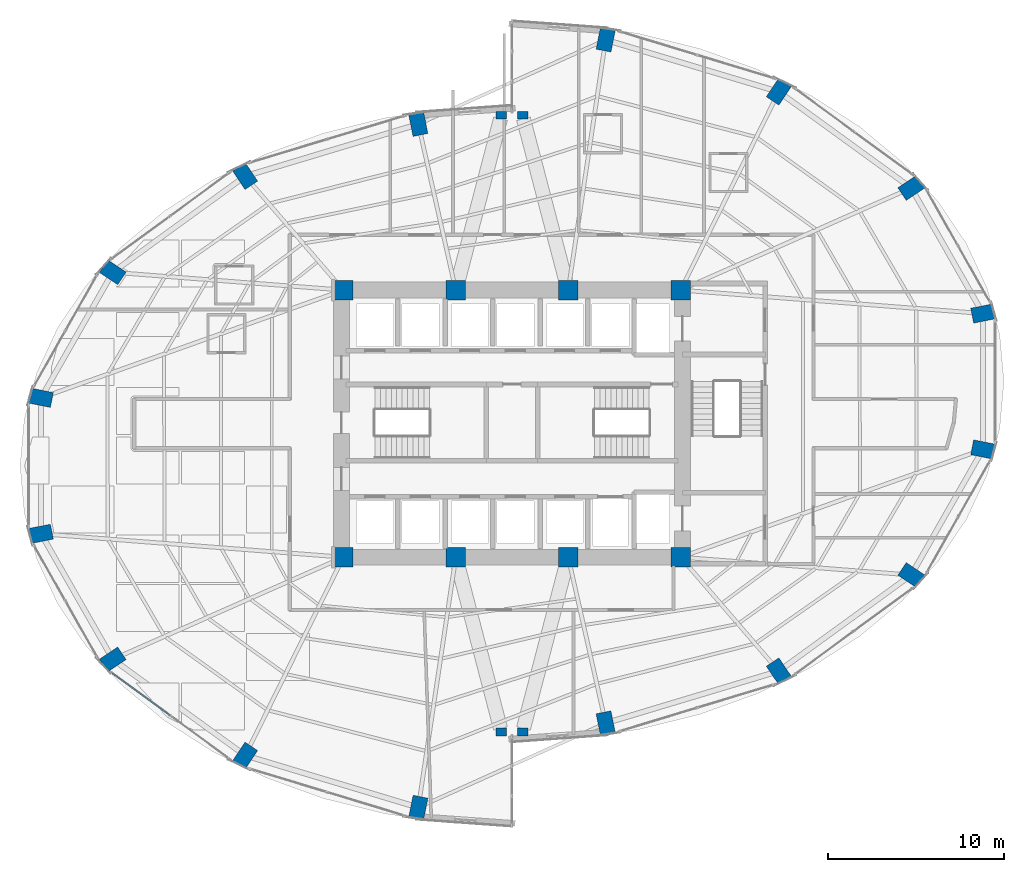
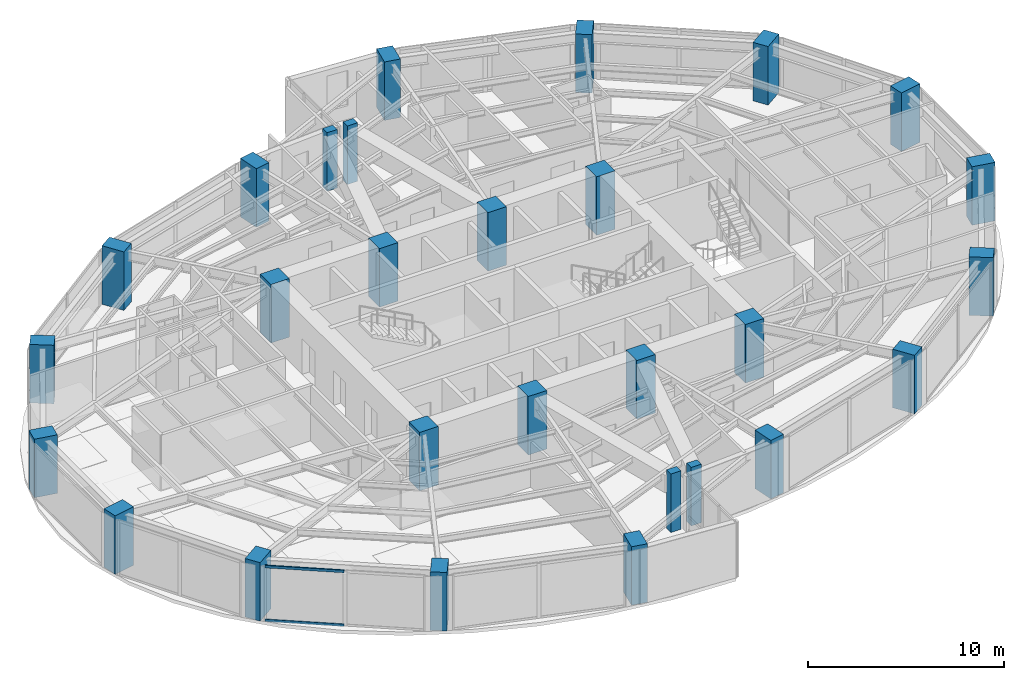
# One storey, part 1 of 25: 28 columns, 2 members, 1 element without a shape of its own.
"""IFC4 building model written with IfcOpenShell, lengths in metres."""

from ifc_helpers import new_model, si_unit, direction, frame, origin, origin_2d, place, context, subcontext, project, spatial, rectangle, hollow_rectangle, extrude, material, layer, layer_set, material_profile, profile_set, type_object, element, aggregate, save


model = new_model("IFC4")

# Units and contexts
model_context = context("Model", 3, precision=1e-05, world=origin(), true_north=direction((0.0, 1.0)))
body_context = subcontext(model_context, "Body", "Model", "MODEL_VIEW")
ifc_project = project(units=[si_unit("LENGTHUNIT", "METRE"), si_unit("AREAUNIT", "SQUARE_METRE"), si_unit("VOLUMEUNIT", "CUBIC_METRE"), si_unit("PLANEANGLEUNIT", "RADIAN"), si_unit("MASSUNIT", "GRAM", prefix="KILO")], contexts=[model_context])

# Site, building, storey
site_placement = place(None, origin())
site = spatial("IfcSite", under=ifc_project, at=site_placement, CompositionType="ELEMENT")
building_placement = place(site_placement, origin())
building = spatial("IfcBuilding", under=site, at=building_placement, Name="Lazwardi Medical Tower", CompositionType="ELEMENT")
storey_placement = place(building_placement, frame((0.0, 0.0, 50.736083984375)))
storey = spatial("IfcBuildingStorey", under=building, at=storey_placement, Name="L12", CompositionType="ELEMENT", Elevation=50.736083984375)

# Columns
ifc_material_1 = material(Name="Concrete C80/95", Category="concrete")
ifc_material_profile_1 = material_profile(ifc_material_1, rectangle(XDim=1.10009765625, YDim=1.10009765625, at=origin_2d()), Name="RC 1100x1100")
ifc_profile_set_1 = profile_set([ifc_material_profile_1], Name="Concrete C80/95")
column_type_1 = type_object("IfcColumnType", Name="COL-CC-L", PredefinedType="COLUMN", material=ifc_profile_set_1)
for number, where, z_axis, x_axis, name in (
    (1, (26.39990234375, 20.39990234375, 0.0), (0.0, 0.0, 1.0), (1.0, 0.0, 0.0), "Core column CC-01 CC1 L12"),
    (2, (32.800048828125, 20.39990234375, 0.0), (0.0, 0.0, 1.0), (1.0, 0.0, 0.0), "Core column CC-01 CC2 L12"),
    (3, (39.199951171875, 20.39990234375, 0.0), (0.0, 0.0, 1.0), (1.0, 0.0, 0.0), "Core column CC-01 CC3 L12"),
    (4, (45.60009765625, 20.39990234375, 0.0), (0.0, 0.0, 1.0), (1.0, 0.0, 0.0), "Core column CC-01 CC4 L12"),
    (5, (45.60009765625, 35.60009765625, 0.0), (0.0, 0.0, 1.0), (1.0, 0.0, 0.0), "Core column CC-01 CC5 L12"),
    (6, (39.199951171875, 35.60009765625, 0.0), (0.0, 0.0, 1.0), (1.0, 0.0, 0.0), "Core column CC-01 CC6 L12"),
    (7, (32.800048828125, 35.60009765625, 0.0), (0.0, 0.0, 1.0), (1.0, 0.0, 0.0), "Core column CC-01 CC7 L12"),
    (8, (26.39990234375, 35.60009765625, 0.0), (0.0, 0.0, 1.0), (1.0, 0.0, 0.0), "Core column CC-01 CC8 L12"),
):
    element("IfcColumn", number, at=place(storey_placement, frame(where, z_axis=z_axis, x_axis=x_axis)), inside=storey, type_object=column_type_1, Name=name, PredefinedType="COLUMN", context=body_context, shape_type="SweptSolid", body=[
        extrude(rectangle(XDim=1.10009765625, YDim=1.10009765625, at=origin_2d()), origin(), (0.0, 0.0, 1.0), 3.64794921875),
    ])
ifc_material_2 = material(Name="Concrete C70/85", Category="concrete")
ifc_material_profile_2 = material_profile(ifc_material_2, rectangle(XDim=1.25, YDim=0.860107421875, at=origin_2d()), Name="CFT-RECT 1250x860")
ifc_profile_set_2 = profile_set([ifc_material_profile_2], Name="Concrete C70/85")
column_type_2 = type_object("IfcColumnType", Name="COL-MC-Z1", PredefinedType="COLUMN", material=ifc_profile_set_2)
for number, where, z_axis, x_axis, name in (
    (9, (41.330810546875, 10.955810546875, 0.0), (0.0, 0.0, 1.0), (0.195090322016, -0.980785280403, 0.0), "Mega column MC-03 M01 L12"),
    (10, (51.180908203125, 13.916015625, 0.0), (0.0, 0.0, 1.0), (0.55557023302, -0.831469612303, 0.0), "Mega column MC-03 M02 L12"),
    (11, (58.719970703125, 19.3857421875, 0.0), (0.0, 0.0, 1.0), (0.831469612303, -0.55557023302, 0.0), "Mega column MC-03 M03 L12"),
    (12, (62.800048828125, 26.5322265625, 0.0), (0.0, 0.0, 1.0), (0.980785280403, -0.195090322016, 0.0), "Mega column MC-03 M04 L12"),
    (13, (62.800048828125, 34.267578125, 0.0), (0.0, 0.0, 1.0), (0.980785280403, 0.195090322016, 0.0), "Mega column MC-03 M05 L12"),
    (14, (58.719970703125, 41.414306640625, 0.0), (0.0, 0.0, 1.0), (0.831469612303, 0.55557023302, 0.0), "Mega column MC-03 M06 L12"),
    (15, (51.180908203125, 46.8837890625, 0.0), (0.0, 0.0, 1.0), (0.55557023302, 0.831469612303, 0.0), "Mega column MC-03 M07 L12"),
    (16, (41.330810546875, 49.843994140625, 0.0), (0.0, 0.0, 1.0), (0.195090322016, 0.980785280403, 0.0), "Mega column MC-03 M08 L12"),
    (17, (30.669189453125, 45.044189453125, 0.0), (0.0, 0.0, 1.0), (-0.195090322016, 0.980785280403, 0.0), "Mega column MC-03 M09 L12"),
    (18, (20.819091796875, 42.083984375, 0.0), (0.0, 0.0, 1.0), (-0.55557023302, 0.831469612303, 0.0), "Mega column MC-03 M10 L12"),
    (19, (13.280029296875, 36.6142578125, 0.0), (0.0, 0.0, 1.0), (-0.831469612303, 0.55557023302, 0.0), "Mega column MC-03 M11 L12"),
    (20, (9.199951171875, 29.4677734375, 0.0), (0.0, 0.0, 1.0), (-0.980785280403, 0.195090322016, 0.0), "Mega column MC-03 M12 L12"),
    (21, (9.199951171875, 21.732421875, 0.0), (0.0, 0.0, 1.0), (-0.980785280403, -0.195090322016, 0.0), "Mega column MC-03 M13 L12"),
    (22, (13.280029296875, 14.585693359375, 0.0), (0.0, 0.0, 1.0), (-0.831469612303, -0.55557023302, 0.0), "Mega column MC-03 M14 L12"),
    (23, (20.819091796875, 9.1162109375, 0.0), (0.0, 0.0, 1.0), (-0.55557023302, -0.831469612303, 0.0), "Mega column MC-03 M15 L12"),
    (24, (30.669189453125, 6.156005859375, 0.0), (0.0, 0.0, 1.0), (-0.195090322016, -0.980785280403, 0.0), "Mega column MC-03 M16 L12"),
):
    element("IfcColumn", number, at=place(storey_placement, frame(where, z_axis=z_axis, x_axis=x_axis)), inside=storey, type_object=column_type_2, Name=name, PredefinedType="COLUMN", context=body_context, shape_type="SweptSolid", body=[
        extrude(rectangle(XDim=1.25, YDim=0.860107421875, at=origin_2d()), origin(), (0.0, 0.0, 1.0), 3.64794921875),
    ])
ifc_material_3 = material(Name="Concrete C60/75", Category="concrete")
ifc_material_profile_3 = material_profile(ifc_material_3, rectangle(XDim=0.60009765625, YDim=0.449951171875, at=origin_2d()), Name="RC 600x450")
ifc_profile_set_3 = profile_set([ifc_material_profile_3], Name="Concrete C60/75")
column_type_3 = type_object("IfcColumnType", Name="COL-PL-IW", PredefinedType="PILASTER", material=ifc_profile_set_3)
for number, where, z_axis, x_axis, name in (
    (25, (35.39990234375, 45.550048828125, 0.0), (0.0, 0.0, 1.0), (1.0, 0.0, 0.0), "Iwan pilaster column PL-C1 PL1 L12"),
    (26, (36.60009765625, 45.550048828125, 0.0), (0.0, 0.0, 1.0), (1.0, 0.0, 0.0), "Iwan pilaster column PL-C1 PL2 L12"),
    (27, (35.39990234375, 10.449951171875, 0.0), (0.0, 0.0, 1.0), (1.0, 0.0, 0.0), "Iwan pilaster column PL-C1 PL3 L12"),
    (28, (36.60009765625, 10.449951171875, 0.0), (0.0, 0.0, 1.0), (1.0, 0.0, 0.0), "Iwan pilaster column PL-C1 PL4 L12"),
):
    element("IfcColumn", number, at=place(storey_placement, frame(where, z_axis=z_axis, x_axis=x_axis)), inside=storey, type_object=column_type_3, Name=name, PredefinedType="PILASTER", context=body_context, shape_type="SweptSolid", body=[
        extrude(rectangle(XDim=0.60009765625, YDim=0.449951171875, at=origin_2d()), origin(), (0.0, 0.0, 1.0), 3.64794921875),
    ])

# Curtain wall, members
ifc_material_4 = material(Name="Anodised bronze aluminium and solar control glazing", Category="aluminium")
ifc_layer = layer(ifc_material_4, 0.199951171875)
ifc_layer_set = layer_set([ifc_layer], Name="Anodised bronze aluminium and solar control glazing")
curtain_wall_type = type_object("IfcCurtainWallType", Name="CW-SYS-02", PredefinedType="NOTDEFINED", material=ifc_layer_set)
curtain_wall_placement = place(storey_placement, origin())
curtain_wall = element("IfcCurtainWall", 29, at=curtain_wall_placement, inside=storey, type_object=curtain_wall_type, Name="L12 Unitised bronze curtain wall CW-02", PredefinedType="NOTDEFINED")
ifc_material_5 = material(Name="Anodised bronze aluminium", Category="aluminium")
ifc_material_profile_4 = material_profile(ifc_material_5, hollow_rectangle(XDim=0.074951171875, YDim=0.159912109375, WallThickness=0.00390625, at=origin_2d()), Name="ALU-TRANSOM 160x75x4")
ifc_profile_set_4 = profile_set([ifc_material_profile_4], Name="Anodised bronze aluminium")
member_type = type_object("IfcMemberType", Name="CW-TRN-01", PredefinedType="USERDEFINED", material=ifc_profile_set_4)
member_1_placement = place(storey_placement, frame((13.239990234375, 13.805419921875, 0.037353515625), z_axis=(0.807189956199, -0.590291770748, 0.0), x_axis=(0.590291770748, 0.807189956199, 0.0)))
member_1 = element("IfcMember", 30, at=member_1_placement, type_object=member_type, Name="CW-02 transom 1.1", ObjectType="TRANSOM", PredefinedType="USERDEFINED", context=body_context, shape_type="SweptSolid", body=[
    extrude(hollow_rectangle(XDim=0.074951171875, YDim=0.159912109375, WallThickness=0.00390625, at=origin_2d()), origin(), (0.0, 0.0, 1.0), 4.070068359375),
])
member_2_placement = place(storey_placement, frame((13.239990234375, 13.805419921875, 3.390380859375), z_axis=(0.807189956199, -0.590291770748, 0.0), x_axis=(0.590291770748, 0.807189956199, 0.0)))
member_2 = element("IfcMember", 31, at=member_2_placement, type_object=member_type, Name="CW-02 transom 1.2", ObjectType="TRANSOM", PredefinedType="USERDEFINED", context=body_context, shape_type="SweptSolid", body=[
    extrude(hollow_rectangle(XDim=0.074951171875, YDim=0.159912109375, WallThickness=0.00390625, at=origin_2d()), origin(), (0.0, 0.0, 1.0), 4.070068359375),
])
aggregate(curtain_wall, [member_1, member_2])

save(model, "model.ifc")
